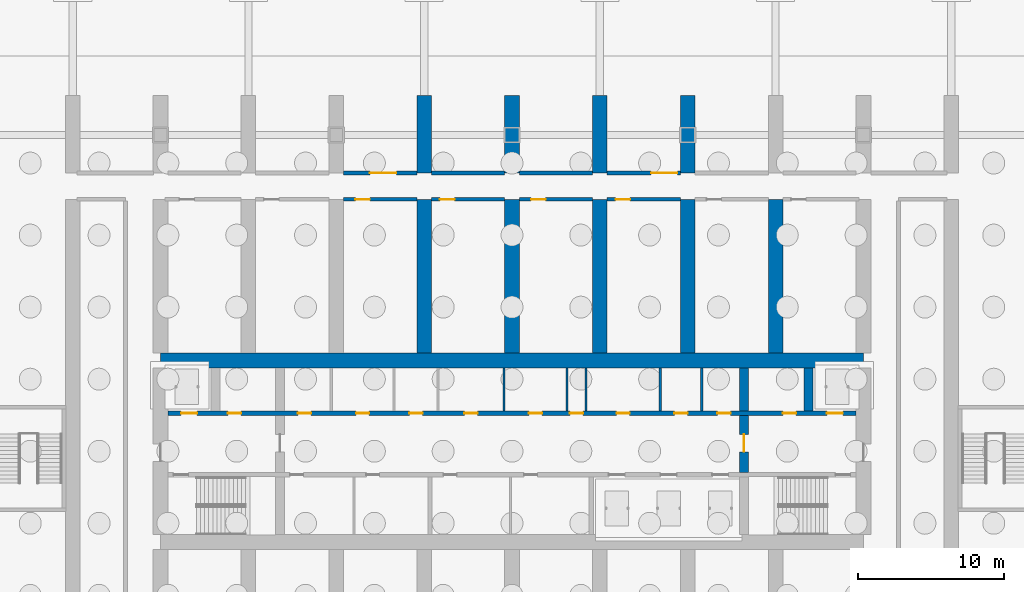
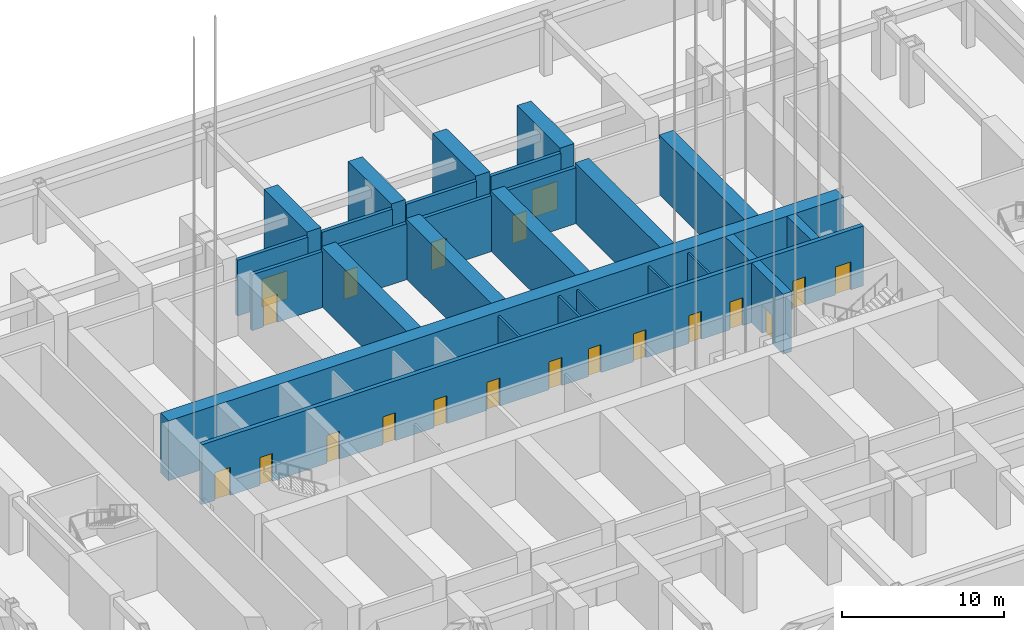
# One storey, part 6 of 28: 27 walls, 20 doors, 20 openings.
"""IFC4 building model written with IfcOpenShell, lengths in metres."""

import ifcopenshell
import ifcopenshell.guid

model = None  # the IFC model being written
_history = None  # IfcOwnerHistory: only IFC2X3 demands one
_inside = {}  # id of a spatial element -> (the spatial element, [elements in it])
_under = {}  # id of a project, library or spatial element -> (it, [spatial elements below it])
_declared = {}  # id of a project -> (the project, [libraries it declares])
_typed = {}  # id of a type object -> (the type object, [elements of that type])
_made_of = {}  # id of a material, layer set ... -> (it, [elements and type objects made of it])


def new_model(schema):
    """Start an empty IFC model of exactly this schema.

    Asked for "IFC4X3", IfcOpenShell would pick the latest addendum, in which some entities
    have other attributes; the version numbers below select the first issue.
    IFC2X3 requires an IfcOwnerHistory on every rooted entity: one is made here for all.
    """
    global model, _history
    if schema == "IFC4X3":
        model = ifcopenshell.file(schema_version=(4, 3, 0, 0))
    else:
        model = ifcopenshell.file(schema=schema)
    _inside.clear()
    _under.clear()
    _declared.clear()
    _typed.clear()
    _made_of.clear()
    _history = None
    if model.schema == "IFC2X3":
        org = make("IfcOrganization", Name="unknown")
        user = make(
            "IfcPersonAndOrganization",
            ThePerson=make("IfcPerson", FamilyName="unknown"),
            TheOrganization=org,
        )
        app = make(
            "IfcApplication",
            ApplicationDeveloper=org,
            Version="unknown",
            ApplicationFullName="unknown",
            ApplicationIdentifier="unknown",
        )
        _history = make(
            "IfcOwnerHistory",
            OwningUser=user,
            OwningApplication=app,
            ChangeAction="ADDED",
            CreationDate=0,
        )
    return model


def make(cls, **values):
    """One entity of the class cls with the attributes given. An attribute that is None is left unset."""
    return model.create_entity(
        cls, **{name: value for name, value in values.items() if value is not None}
    )


def rooted(cls, **values):
    """An entity with a GlobalId (a new one), such as an element, a storey or a relation."""
    return make(cls, GlobalId=ifcopenshell.guid.new(), OwnerHistory=_history, **values)


def si_unit(unit_type, name, prefix=None):
    """IfcSIUnit, for example si_unit("LENGTHUNIT", "METRE", prefix="MILLI")."""
    return make("IfcSIUnit", UnitType=unit_type, Prefix=prefix, Name=name)


def assignment(units):
    """IfcUnitAssignment: the units of a project."""
    return None if units is None else make("IfcUnitAssignment", Units=units)


def point(xyz):
    """IfcCartesianPoint."""
    return None if xyz is None else make("IfcCartesianPoint", Coordinates=xyz)


def direction(xyz):
    """IfcDirection."""
    return None if xyz is None else make("IfcDirection", DirectionRatios=xyz)


def frame(location, z_axis=None, x_axis=None):
    """IfcAxis2Placement3D, a coordinate frame: its origin and axes. An axis left out is left unset."""
    return make(
        "IfcAxis2Placement3D",
        Location=point(location),
        Axis=direction(z_axis),
        RefDirection=direction(x_axis),
    )


def frame_2d(location, x_axis=None):
    """IfcAxis2Placement2D, a coordinate frame in the plane: its origin and x axis."""
    return make(
        "IfcAxis2Placement2D", Location=point(location), RefDirection=direction(x_axis)
    )


def origin():
    """The frame at (0, 0, 0) with its axes left unset."""
    return frame((0.0, 0.0, 0.0))


def place(relative_to, where):
    """IfcLocalPlacement: puts the frame where relative to a parent placement (None: the world)."""
    return make(
        "IfcLocalPlacement", PlacementRelTo=relative_to, RelativePlacement=where
    )


def context(
    kind, dimensions, precision=None, world=None, true_north=None, identifier=None
):
    """IfcGeometricRepresentationContext, for example the 3D "Model" context."""
    return make(
        "IfcGeometricRepresentationContext",
        ContextIdentifier=identifier,
        ContextType=kind,
        CoordinateSpaceDimension=dimensions,
        Precision=precision,
        WorldCoordinateSystem=world,
        TrueNorth=true_north,
    )


def subcontext(parent, identifier, kind, view, scale=None):
    """IfcGeometricRepresentationSubContext, for example "Body" below "Model"."""
    return make(
        "IfcGeometricRepresentationSubContext",
        ContextIdentifier=identifier,
        ContextType=kind,
        ParentContext=parent,
        TargetScale=scale,
        TargetView=view,
    )


def project(units=None, contexts=None):
    """IfcProject with its units and contexts."""
    return rooted(
        "IfcProject",
        Name="project",
        RepresentationContexts=contexts,
        UnitsInContext=assignment(units),
    )


def spatial(cls, under=None, at=None, **own):
    """A site, building, storey or space (cls), placed at a placement, below another one or the project."""
    s = rooted(cls, ObjectPlacement=at, **own)
    if under is not None:
        _under.setdefault(under.id(), (under, []))[1].append(s)
    return s


def profile(cls, at=None, kind="AREA", **sizes):
    """A parametric profile (cls). Its sizes go by their IFC names, for example OverallWidth=200.0."""
    return make(cls, ProfileType=kind, Position=at, **sizes)


def rectangle(**sizes):
    """IfcRectangleProfileDef."""
    return profile("IfcRectangleProfileDef", **sizes)


def extrude(swept, where, along, depth):
    """IfcExtrudedAreaSolid: the profile swept, set in the frame where, extruded along a direction by depth."""
    return make(
        "IfcExtrudedAreaSolid",
        SweptArea=swept,
        Position=where,
        ExtrudedDirection=direction(along),
        Depth=depth,
    )


def shape(context_of_items, identifier, shape_type, items):
    """IfcShapeRepresentation: the items that make up one representation, for example the "Body"."""
    return make(
        "IfcShapeRepresentation",
        ContextOfItems=context_of_items,
        RepresentationIdentifier=identifier,
        RepresentationType=shape_type,
        Items=items,
    )


def material(Name=None, Category=None):
    """IfcMaterial."""
    return make("IfcMaterial", Name=Name, Category=Category)


def layer(
    of_material, thickness, ventilated=None, Name=None, Category=None, Priority=None
):
    """IfcMaterialLayer: one layer of a wall or slab, of a material (None: an air gap)."""
    return make(
        "IfcMaterialLayer",
        Material=of_material,
        LayerThickness=thickness,
        IsVentilated=ventilated,
        Name=Name,
        Category=Category,
        Priority=Priority,
    )


def layer_set(layers, Name=None):
    """IfcMaterialLayerSet."""
    return make("IfcMaterialLayerSet", MaterialLayers=layers, LayerSetName=Name)


def made_of(thing, what):
    """Note that an element or type object is made of a material, layer set ...; save() writes the relation."""
    if what is not None:
        _made_of.setdefault(what.id(), (what, []))[1].append(thing)
    return thing


def type_object(cls, material=None, **own):
    """A type object (cls), such as IfcWallType, which elements share."""
    return made_of(rooted(cls, **own), material)


def element(
    cls,
    number,
    at=None,
    inside=None,
    cuts=None,
    type_object=None,
    material=None,
    context=None,
    identifier="Body",
    shape_type=None,
    held_by="IfcProductDefinitionShape",
    body=None,
    shapes=None,
    **own,
):
    """One element of the class cls, such as IfcWall. Its Tag is "e" and its number.

    at: its placement. inside: the storey or other place that contains it. cuts: it is an
    opening in that element (IfcRelVoidsElement). A single representation is given by context,
    identifier, shape_type and body (its items); several are given by shapes. held_by: the class
    of the entity that holds the representations. save() writes the other relations.
    """
    e = rooted(cls, Tag="e%d" % number, ObjectPlacement=at, **own)
    if body is not None:
        shapes = [shape(context, identifier, shape_type, body)]
    if shapes is not None:
        e.Representation = make(held_by, Representations=shapes)
    if inside is not None:
        _inside.setdefault(inside.id(), (inside, []))[1].append(e)
    if cuts is not None:
        rooted(
            "IfcRelVoidsElement", RelatingBuildingElement=cuts, RelatedOpeningElement=e
        )
    if type_object is not None:
        _typed.setdefault(type_object.id(), (type_object, []))[1].append(e)
    return made_of(e, material)


def fill(opening, filler):
    """IfcRelFillsElement: the door or window that sits in an opening."""
    return rooted(
        "IfcRelFillsElement",
        RelatingOpeningElement=opening,
        RelatedBuildingElement=filler,
    )


def aggregate(whole, parts):
    """IfcRelAggregates: a whole, such as a stair, and the parts it consists of."""
    return rooted("IfcRelAggregates", RelatingObject=whole, RelatedObjects=parts)


def save(model, path):
    """Write the relations noted so far, then the file.

    IfcRelAggregates (storeys below a building ...), IfcRelContainedInSpatialStructure (elements
    in a storey), IfcRelDefinesByType, IfcRelAssociatesMaterial and IfcRelDeclares: one each for
    every whole, place, type object, material and project.
    """
    for whole, parts in _under.values():
        aggregate(whole, parts)
    for where, things in _inside.values():
        rooted(
            "IfcRelContainedInSpatialStructure",
            RelatedElements=things,
            RelatingStructure=where,
        )
    for kind, things in _typed.values():
        rooted("IfcRelDefinesByType", RelatedObjects=things, RelatingType=kind)
    for what, things in _made_of.values():
        rooted("IfcRelAssociatesMaterial", RelatedObjects=things, RelatingMaterial=what)
    for by, libraries in _declared.values():
        rooted("IfcRelDeclares", RelatingContext=by, RelatedDefinitions=libraries)
    model.write(path)


model = new_model("IFC4")

# Units and contexts
model_context = context("Model", 3, precision=1e-05, world=origin(), true_north=direction((0.0, 1.0)))
body_context = subcontext(model_context, "Body", "Model", "MODEL_VIEW")
ifc_project = project(units=[si_unit("LENGTHUNIT", "METRE"), si_unit("AREAUNIT", "SQUARE_METRE"), si_unit("VOLUMEUNIT", "CUBIC_METRE"), si_unit("PLANEANGLEUNIT", "RADIAN"), si_unit("MASSUNIT", "GRAM", prefix="KILO")], contexts=[model_context])

# Site, building, storey
site_placement = place(None, origin())
site = spatial("IfcSite", under=ifc_project, at=site_placement, CompositionType="ELEMENT")
building_placement = place(site_placement, origin())
building = spatial("IfcBuilding", under=site, at=building_placement, Name="Orbita Commons", CompositionType="ELEMENT")
storey_placement = place(building_placement, frame((0.0, 0.0, -9.0)))
storey = spatial("IfcBuildingStorey", under=building, at=storey_placement, Name="L-02", CompositionType="ELEMENT", Elevation=-9.0)

# Wall, opening, door
ifc_material_1 = material(Name="Concrete blockwork", Category="masonry")
ifc_layer_1 = layer(ifc_material_1, 0.25)
ifc_layer_set_1 = layer_set([ifc_layer_1], Name="Concrete blockwork")
wall_type_1 = type_object("IfcWallType", Name="Basement wall 250 blockwork", PredefinedType="SOLIDWALL", material=ifc_layer_set_1)
wall_1_placement = place(storey_placement, frame((30.5, 51.0, 0.0), z_axis=(0.0, 0.0, 1.0), x_axis=(1.0, 0.0, 0.0)))
wall_1 = element("IfcWall", 1, at=wall_1_placement, inside=storey, type_object=wall_type_1, Name="Basement wall 250 blockwork L-02", PredefinedType="SOLIDWALL", context=body_context, shape_type="SweptSolid", body=[
    extrude(rectangle(XDim=5.0, YDim=0.25, at=frame_2d((2.5, 0.0))), origin(), (0.0, 0.0, 1.0), 4.199951171875),
])
opening_1_placement = place(wall_1_placement, frame((1.800048828125, 0.0, 0.0)))
opening_1 = element("IfcOpeningElement", 2, at=opening_1_placement, cuts=wall_1, Name="Opening D07", PredefinedType="OPENING", context=body_context, shape_type="SweptSolid", body=[
    extrude(rectangle(XDim=1.800048828125, YDim=2.10009765625, at=frame_2d((0.89990234375, 1.050048828125))), frame((0.0, 0.135009765625, 0.0), z_axis=(0.0, -1.0, 0.0), x_axis=(1.0, 0.0, 0.0)), (0.0, 0.0, 1.0), 0.27001953125),
])
ifc_material_2 = material(Name="Steel-faced fire door leaf", Category="steel")
door_type_1 = type_object("IfcDoorType", Name="Double corridor door 20 min 1800x2100", OperationType="DOUBLE_DOOR_SINGLE_SWING", PredefinedType="DOOR", material=ifc_material_2)
door_1_placement = place(opening_1_placement, origin())
door_1 = element("IfcDoor", 3, at=door_1_placement, inside=storey, type_object=door_type_1, Name="Hall doors north", OperationType="DOUBLE_DOOR_SINGLE_SWING", OverallHeight=2.10009765625, OverallWidth=1.800048828125, PredefinedType="DOOR", context=body_context, shape_type="SweptSolid", body=[
    extrude(rectangle(XDim=1.800048828125, YDim=2.10009765625, at=frame_2d((0.89990234375, 1.050048828125))), frame((0.0, 0.02490234375, 0.0), z_axis=(0.0, -1.0, 0.0), x_axis=(1.0, 0.0, 0.0)), (0.0, 0.0, 1.0), 0.050048828125),
])
fill(opening_1, door_1)

# Walls
for number, where, z_axis, x_axis, name in (
    (4, (36.5, 51.0, 0.0), (0.0, 0.0, 1.0), (1.0, 0.0, 0.0), "Basement wall 250 blockwork L-02"),
    (5, (42.5, 51.0, 0.0), (0.0, 0.0, 1.0), (1.0, 0.0, 0.0), "Basement wall 250 blockwork L-02"),
):
    element("IfcWall", number, at=place(storey_placement, frame(where, z_axis=z_axis, x_axis=x_axis)), inside=storey, type_object=wall_type_1, Name=name, PredefinedType="SOLIDWALL", context=body_context, shape_type="SweptSolid", body=[
        extrude(rectangle(XDim=5.0, YDim=0.25, at=frame_2d((2.5, 0.0))), origin(), (0.0, 0.0, 1.0), 4.199951171875),
    ])

# Wall, opening, door
wall_2_placement = place(storey_placement, frame((48.5, 51.0, 0.0), z_axis=(0.0, 0.0, 1.0), x_axis=(1.0, 0.0, 0.0)))
wall_2 = element("IfcWall", 6, at=wall_2_placement, inside=storey, type_object=wall_type_1, Name="Basement wall 250 blockwork L-02", PredefinedType="SOLIDWALL", context=body_context, shape_type="SweptSolid", body=[
    extrude(rectangle(XDim=5.0, YDim=0.25, at=frame_2d((2.5, 0.0))), origin(), (0.0, 0.0, 1.0), 4.199951171875),
])
opening_2_placement = place(wall_2_placement, frame((3.0, 0.0, 0.0)))
opening_2 = element("IfcOpeningElement", 7, at=opening_2_placement, cuts=wall_2, Name="Opening D07", PredefinedType="OPENING", context=body_context, shape_type="SweptSolid", body=[
    extrude(rectangle(XDim=1.800048828125, YDim=2.10009765625, at=frame_2d((0.89990234375, 1.050048828125))), frame((0.0, 0.135009765625, 0.0), z_axis=(0.0, -1.0, 0.0), x_axis=(1.0, 0.0, 0.0)), (0.0, 0.0, 1.0), 0.27001953125),
])
door_2_placement = place(opening_2_placement, origin())
door_2 = element("IfcDoor", 8, at=door_2_placement, inside=storey, type_object=door_type_1, Name="Hall doors north", OperationType="DOUBLE_DOOR_SINGLE_SWING", OverallHeight=2.10009765625, OverallWidth=1.800048828125, PredefinedType="DOOR", context=body_context, shape_type="SweptSolid", body=[
    extrude(rectangle(XDim=1.800048828125, YDim=2.10009765625, at=frame_2d((0.89990234375, 1.050048828125))), frame((0.0, 0.02490234375, 0.0), z_axis=(0.0, -1.0, 0.0), x_axis=(1.0, 0.0, 0.0)), (0.0, 0.0, 1.0), 0.050048828125),
])
fill(opening_2, door_2)

wall_3_placement = place(storey_placement, frame((30.5, 49.199951171875, 0.0), z_axis=(0.0, 0.0, 1.0), x_axis=(1.0, 0.0, 0.0)))
wall_3 = element("IfcWall", 9, at=wall_3_placement, inside=storey, type_object=wall_type_1, Name="Basement wall 250 blockwork L-02", PredefinedType="SOLIDWALL", context=body_context, shape_type="SweptSolid", body=[
    extrude(rectangle(XDim=5.0, YDim=0.25, at=frame_2d((2.5, 0.0))), origin(), (0.0, 0.0, 1.0), 4.199951171875),
])
opening_3_placement = place(wall_3_placement, frame((0.800048828125, 0.0, 0.0)))
opening_3 = element("IfcOpeningElement", 10, at=opening_3_placement, cuts=wall_3, Name="Opening D06", PredefinedType="OPENING", context=body_context, shape_type="SweptSolid", body=[
    extrude(rectangle(XDim=1.0, YDim=2.10009765625, at=frame_2d((0.5, 1.050048828125))), frame((0.0, 0.135009765625, 0.0), z_axis=(0.0, -1.0, 0.0), x_axis=(1.0, 0.0, 0.0)), (0.0, 0.0, 1.0), 0.27001953125),
])
ifc_material_3 = material(Name="Steel-faced fire door leaf", Category="steel")
door_type_2 = type_object("IfcDoorType", Name="Corridor door 20 min 1000x2100", OperationType="SINGLE_SWING_LEFT", PredefinedType="DOOR", material=ifc_material_3)
door_3_placement = place(opening_3_placement, origin())
door_3 = element("IfcDoor", 11, at=door_3_placement, inside=storey, type_object=door_type_2, Name="Room door", OperationType="SINGLE_SWING_LEFT", OverallHeight=2.10009765625, OverallWidth=1.0, PredefinedType="DOOR", context=body_context, shape_type="SweptSolid", body=[
    extrude(rectangle(XDim=1.0, YDim=2.10009765625, at=frame_2d((0.5, 1.050048828125))), frame((0.0, 0.02490234375, 0.0), z_axis=(0.0, -1.0, 0.0), x_axis=(1.0, 0.0, 0.0)), (0.0, 0.0, 1.0), 0.050048828125),
])
fill(opening_3, door_3)

wall_4_placement = place(storey_placement, frame((36.5, 49.199951171875, 0.0), z_axis=(0.0, 0.0, 1.0), x_axis=(1.0, 0.0, 0.0)))
wall_4 = element("IfcWall", 12, at=wall_4_placement, inside=storey, type_object=wall_type_1, Name="Basement wall 250 blockwork L-02", PredefinedType="SOLIDWALL", context=body_context, shape_type="SweptSolid", body=[
    extrude(rectangle(XDim=5.0, YDim=0.25, at=frame_2d((2.5, 0.0))), origin(), (0.0, 0.0, 1.0), 4.199951171875),
])
opening_4_placement = place(wall_4_placement, frame((0.574951171875, 0.0, 0.0)))
opening_4 = element("IfcOpeningElement", 13, at=opening_4_placement, cuts=wall_4, Name="Opening D06", PredefinedType="OPENING", context=body_context, shape_type="SweptSolid", body=[
    extrude(rectangle(XDim=1.0, YDim=2.10009765625, at=frame_2d((0.5, 1.050048828125))), frame((0.0, 0.135009765625, 0.0), z_axis=(0.0, -1.0, 0.0), x_axis=(1.0, 0.0, 0.0)), (0.0, 0.0, 1.0), 0.27001953125),
])
door_4_placement = place(opening_4_placement, origin())
door_4 = element("IfcDoor", 14, at=door_4_placement, inside=storey, type_object=door_type_2, Name="Room door", OperationType="SINGLE_SWING_LEFT", OverallHeight=2.10009765625, OverallWidth=1.0, PredefinedType="DOOR", context=body_context, shape_type="SweptSolid", body=[
    extrude(rectangle(XDim=1.0, YDim=2.10009765625, at=frame_2d((0.5, 1.050048828125))), frame((0.0, 0.02490234375, 0.0), z_axis=(0.0, -1.0, 0.0), x_axis=(1.0, 0.0, 0.0)), (0.0, 0.0, 1.0), 0.050048828125),
])
fill(opening_4, door_4)

wall_5_placement = place(storey_placement, frame((42.5, 49.199951171875, 0.0), z_axis=(0.0, 0.0, 1.0), x_axis=(1.0, 0.0, 0.0)))
wall_5 = element("IfcWall", 15, at=wall_5_placement, inside=storey, type_object=wall_type_1, Name="Basement wall 250 blockwork L-02", PredefinedType="SOLIDWALL", context=body_context, shape_type="SweptSolid", body=[
    extrude(rectangle(XDim=5.0, YDim=0.25, at=frame_2d((2.5, 0.0))), origin(), (0.0, 0.0, 1.0), 4.199951171875),
])
opening_5_placement = place(wall_5_placement, frame((0.800048828125, 0.0, 0.0)))
opening_5 = element("IfcOpeningElement", 16, at=opening_5_placement, cuts=wall_5, Name="Opening D06", PredefinedType="OPENING", context=body_context, shape_type="SweptSolid", body=[
    extrude(rectangle(XDim=1.0, YDim=2.10009765625, at=frame_2d((0.5, 1.050048828125))), frame((0.0, 0.135009765625, 0.0), z_axis=(0.0, -1.0, 0.0), x_axis=(1.0, 0.0, 0.0)), (0.0, 0.0, 1.0), 0.27001953125),
])
door_5_placement = place(opening_5_placement, origin())
door_5 = element("IfcDoor", 17, at=door_5_placement, inside=storey, type_object=door_type_2, Name="Room door", OperationType="SINGLE_SWING_LEFT", OverallHeight=2.10009765625, OverallWidth=1.0, PredefinedType="DOOR", context=body_context, shape_type="SweptSolid", body=[
    extrude(rectangle(XDim=1.0, YDim=2.10009765625, at=frame_2d((0.5, 1.050048828125))), frame((0.0, 0.02490234375, 0.0), z_axis=(0.0, -1.0, 0.0), x_axis=(1.0, 0.0, 0.0)), (0.0, 0.0, 1.0), 0.050048828125),
])
fill(opening_5, door_5)

wall_6_placement = place(storey_placement, frame((48.5, 49.199951171875, 0.0), z_axis=(0.0, 0.0, 1.0), x_axis=(1.0, 0.0, 0.0)))
wall_6 = element("IfcWall", 18, at=wall_6_placement, inside=storey, type_object=wall_type_1, Name="Basement wall 250 blockwork L-02", PredefinedType="SOLIDWALL", context=body_context, shape_type="SweptSolid", body=[
    extrude(rectangle(XDim=5.0, YDim=0.25, at=frame_2d((2.5, 0.0))), origin(), (0.0, 0.0, 1.0), 4.199951171875),
])
opening_6_placement = place(wall_6_placement, frame((0.574951171875, 0.0, 0.0)))
opening_6 = element("IfcOpeningElement", 19, at=opening_6_placement, cuts=wall_6, Name="Opening D06", PredefinedType="OPENING", context=body_context, shape_type="SweptSolid", body=[
    extrude(rectangle(XDim=1.0, YDim=2.10009765625, at=frame_2d((0.5, 1.050048828125))), frame((0.0, 0.135009765625, 0.0), z_axis=(0.0, -1.0, 0.0), x_axis=(1.0, 0.0, 0.0)), (0.0, 0.0, 1.0), 0.27001953125),
])
door_6_placement = place(opening_6_placement, origin())
door_6 = element("IfcDoor", 20, at=door_6_placement, inside=storey, type_object=door_type_2, Name="Room door", OperationType="SINGLE_SWING_LEFT", OverallHeight=2.10009765625, OverallWidth=1.0, PredefinedType="DOOR", context=body_context, shape_type="SweptSolid", body=[
    extrude(rectangle(XDim=1.0, YDim=2.10009765625, at=frame_2d((0.5, 1.050048828125))), frame((0.0, 0.02490234375, 0.0), z_axis=(0.0, -1.0, 0.0), x_axis=(1.0, 0.0, 0.0)), (0.0, 0.0, 1.0), 0.050048828125),
])
fill(opening_6, door_6)

# Wall, openings, doors
ifc_material_4 = material(Name="Concrete C50/60", Category="concrete")
ifc_layer_2 = layer(ifc_material_4, 0.300048828125)
ifc_layer_set_2 = layer_set([ifc_layer_2], Name="Concrete C50/60")
wall_type_2 = type_object("IfcWallType", Name="Core inner wall 300 C50/60", PredefinedType="SHEAR", material=ifc_layer_set_2)
wall_7_placement = place(storey_placement, frame((18.5, 34.60009765625, 0.0), z_axis=(0.0, 0.0, 1.0), x_axis=(1.0, 0.0, 0.0)))
wall_7 = element("IfcWall", 21, at=wall_7_placement, inside=storey, type_object=wall_type_2, Name="Lobby wall north L-02", PredefinedType="SHEAR", context=body_context, shape_type="SweptSolid", body=[
    extrude(rectangle(XDim=47.0, YDim=0.300048828125, at=frame_2d((23.5, 0.0))), origin(), (0.0, 0.0, 1.0), 4.5),
])
opening_7_placement = place(wall_7_placement, frame((0.89990234375, 0.0, 0.0)))
opening_7 = element("IfcOpeningElement", 22, at=opening_7_placement, cuts=wall_7, Name="Opening LD01", PredefinedType="OPENING", context=body_context, shape_type="SweptSolid", body=[
    extrude(rectangle(XDim=1.10009765625, YDim=2.10009765625, at=frame_2d((0.550048828125, 1.050048828125))), frame((0.0, 0.159912109375, 0.0), z_axis=(0.0, -1.0, 0.0), x_axis=(1.0, 0.0, 0.0)), (0.0, 0.0, 1.0), 0.320068359375),
])
opening_8_placement = place(wall_7_placement, frame((45.0, 0.0, 0.0)))
opening_8 = element("IfcOpeningElement", 23, at=opening_8_placement, cuts=wall_7, Name="Opening LD01", PredefinedType="OPENING", context=body_context, shape_type="SweptSolid", body=[
    extrude(rectangle(XDim=1.10009765625, YDim=2.10009765625, at=frame_2d((0.550048828125, 1.050048828125))), frame((0.0, 0.159912109375, 0.0), z_axis=(0.0, -1.0, 0.0), x_axis=(1.0, 0.0, 0.0)), (0.0, 0.0, 1.0), 0.320068359375),
])
opening_9_placement = place(wall_7_placement, frame((4.10009765625, 0.0, 0.0)))
opening_9 = element("IfcOpeningElement", 24, at=opening_9_placement, cuts=wall_7, Name="Opening D03", PredefinedType="OPENING", context=body_context, shape_type="SweptSolid", body=[
    extrude(rectangle(XDim=0.89990234375, YDim=2.10009765625, at=frame_2d((0.449951171875, 1.050048828125))), frame((0.0, 0.159912109375, 0.0), z_axis=(0.0, -1.0, 0.0), x_axis=(1.0, 0.0, 0.0)), (0.0, 0.0, 1.0), 0.320068359375),
])
opening_10_placement = place(wall_7_placement, frame((42.0, 0.0, 0.0)))
opening_10 = element("IfcOpeningElement", 25, at=opening_10_placement, cuts=wall_7, Name="Opening D03", PredefinedType="OPENING", context=body_context, shape_type="SweptSolid", body=[
    extrude(rectangle(XDim=0.89990234375, YDim=2.10009765625, at=frame_2d((0.449951171875, 1.050048828125))), frame((0.0, 0.159912109375, 0.0), z_axis=(0.0, -1.0, 0.0), x_axis=(1.0, 0.0, 0.0)), (0.0, 0.0, 1.0), 0.320068359375),
])
opening_11_placement = place(wall_7_placement, frame((8.87548828125, 0.0, 0.0)))
opening_11 = element("IfcOpeningElement", 26, at=opening_11_placement, cuts=wall_7, Name="Opening D05", PredefinedType="OPENING", context=body_context, shape_type="SweptSolid", body=[
    extrude(rectangle(XDim=0.89990234375, YDim=2.10009765625, at=frame_2d((0.449951171875, 1.050048828125))), frame((0.0, 0.159912109375, 0.0), z_axis=(0.0, -1.0, 0.0), x_axis=(1.0, 0.0, 0.0)), (0.0, 0.0, 1.0), 0.320068359375),
])
opening_12_placement = place(wall_7_placement, frame((12.8486328125, 0.0, 0.0)))
opening_12 = element("IfcOpeningElement", 27, at=opening_12_placement, cuts=wall_7, Name="Opening D03", PredefinedType="OPENING", context=body_context, shape_type="SweptSolid", body=[
    extrude(rectangle(XDim=0.89990234375, YDim=2.10009765625, at=frame_2d((0.449951171875, 1.050048828125))), frame((0.0, 0.159912109375, 0.0), z_axis=(0.0, -1.0, 0.0), x_axis=(1.0, 0.0, 0.0)), (0.0, 0.0, 1.0), 0.320068359375),
])
opening_13_placement = place(wall_7_placement, frame((16.496337890625, 0.0, 0.0)))
opening_13 = element("IfcOpeningElement", 28, at=opening_13_placement, cuts=wall_7, Name="Opening D03", PredefinedType="OPENING", context=body_context, shape_type="SweptSolid", body=[
    extrude(rectangle(XDim=0.89990234375, YDim=2.10009765625, at=frame_2d((0.449951171875, 1.050048828125))), frame((0.0, 0.159912109375, 0.0), z_axis=(0.0, -1.0, 0.0), x_axis=(1.0, 0.0, 0.0)), (0.0, 0.0, 1.0), 0.320068359375),
])
opening_14_placement = place(wall_7_placement, frame((20.254638671875, 0.0, 0.0)))
opening_14 = element("IfcOpeningElement", 29, at=opening_14_placement, cuts=wall_7, Name="Opening D03", PredefinedType="OPENING", context=body_context, shape_type="SweptSolid", body=[
    extrude(rectangle(XDim=0.89990234375, YDim=2.10009765625, at=frame_2d((0.449951171875, 1.050048828125))), frame((0.0, 0.159912109375, 0.0), z_axis=(0.0, -1.0, 0.0), x_axis=(1.0, 0.0, 0.0)), (0.0, 0.0, 1.0), 0.320068359375),
])
opening_15_placement = place(wall_7_placement, frame((24.66064453125, 0.0, 0.0)))
opening_15 = element("IfcOpeningElement", 30, at=opening_15_placement, cuts=wall_7, Name="Opening D03", PredefinedType="OPENING", context=body_context, shape_type="SweptSolid", body=[
    extrude(rectangle(XDim=0.89990234375, YDim=2.10009765625, at=frame_2d((0.449951171875, 1.050048828125))), frame((0.0, 0.159912109375, 0.0), z_axis=(0.0, -1.0, 0.0), x_axis=(1.0, 0.0, 0.0)), (0.0, 0.0, 1.0), 0.320068359375),
])
opening_16_placement = place(wall_7_placement, frame((27.45849609375, 0.0, 0.0)))
opening_16 = element("IfcOpeningElement", 31, at=opening_16_placement, cuts=wall_7, Name="Opening D03", PredefinedType="OPENING", context=body_context, shape_type="SweptSolid", body=[
    extrude(rectangle(XDim=0.89990234375, YDim=2.10009765625, at=frame_2d((0.449951171875, 1.050048828125))), frame((0.0, 0.159912109375, 0.0), z_axis=(0.0, -1.0, 0.0), x_axis=(1.0, 0.0, 0.0)), (0.0, 0.0, 1.0), 0.320068359375),
])
opening_17_placement = place(wall_7_placement, frame((30.64111328125, 0.0, 0.0)))
opening_17 = element("IfcOpeningElement", 32, at=opening_17_placement, cuts=wall_7, Name="Opening D05", PredefinedType="OPENING", context=body_context, shape_type="SweptSolid", body=[
    extrude(rectangle(XDim=0.89990234375, YDim=2.10009765625, at=frame_2d((0.449951171875, 1.050048828125))), frame((0.0, 0.159912109375, 0.0), z_axis=(0.0, -1.0, 0.0), x_axis=(1.0, 0.0, 0.0)), (0.0, 0.0, 1.0), 0.320068359375),
])
opening_18_placement = place(wall_7_placement, frame((34.59228515625, 0.0, 0.0)))
opening_18 = element("IfcOpeningElement", 33, at=opening_18_placement, cuts=wall_7, Name="Opening D03", PredefinedType="OPENING", context=body_context, shape_type="SweptSolid", body=[
    extrude(rectangle(XDim=0.89990234375, YDim=2.10009765625, at=frame_2d((0.449951171875, 1.050048828125))), frame((0.0, 0.159912109375, 0.0), z_axis=(0.0, -1.0, 0.0), x_axis=(1.0, 0.0, 0.0)), (0.0, 0.0, 1.0), 0.320068359375),
])
opening_19_placement = place(wall_7_placement, frame((37.5302734375, 0.0, 0.0)))
opening_19 = element("IfcOpeningElement", 34, at=opening_19_placement, cuts=wall_7, Name="Opening D03", PredefinedType="OPENING", context=body_context, shape_type="SweptSolid", body=[
    extrude(rectangle(XDim=0.89990234375, YDim=2.10009765625, at=frame_2d((0.449951171875, 1.050048828125))), frame((0.0, 0.159912109375, 0.0), z_axis=(0.0, -1.0, 0.0), x_axis=(1.0, 0.0, 0.0)), (0.0, 0.0, 1.0), 0.320068359375),
])
ifc_material_5 = material(Name="Steel-faced fire door leaf", Category="steel")
door_type_3 = type_object("IfcDoorType", Name="Firefighting lift landing door 1100x2100", OperationType="DOUBLE_DOOR_SLIDING", PredefinedType="DOOR", material=ifc_material_5)
door_7_placement = place(opening_7_placement, origin())
door_7 = element("IfcDoor", 35, at=door_7_placement, inside=storey, type_object=door_type_3, Name="Firefighting lift FL1 landing door", OperationType="DOUBLE_DOOR_SLIDING", OverallHeight=2.10009765625, OverallWidth=1.10009765625, PredefinedType="DOOR", context=body_context, shape_type="SweptSolid", body=[
    extrude(rectangle(XDim=1.10009765625, YDim=2.10009765625, at=frame_2d((0.550048828125, 1.050048828125))), frame((0.0, 0.02490234375, 0.0), z_axis=(0.0, -1.0, 0.0), x_axis=(1.0, 0.0, 0.0)), (0.0, 0.0, 1.0), 0.050048828125),
])
fill(opening_7, door_7)
door_8_placement = place(opening_8_placement, origin())
door_8 = element("IfcDoor", 36, at=door_8_placement, inside=storey, type_object=door_type_3, Name="Firefighting lift FL2 landing door", OperationType="DOUBLE_DOOR_SLIDING", OverallHeight=2.10009765625, OverallWidth=1.10009765625, PredefinedType="DOOR", context=body_context, shape_type="SweptSolid", body=[
    extrude(rectangle(XDim=1.10009765625, YDim=2.10009765625, at=frame_2d((0.550048828125, 1.050048828125))), frame((0.0, 0.02490234375, 0.0), z_axis=(0.0, -1.0, 0.0), x_axis=(1.0, 0.0, 0.0)), (0.0, 0.0, 1.0), 0.050048828125),
])
fill(opening_8, door_8)
ifc_material_6 = material(Name="Steel-faced fire door leaf", Category="steel")
door_type_4 = type_object("IfcDoorType", Name="Service door 20 min 900x2100", OperationType="SINGLE_SWING_LEFT", PredefinedType="DOOR", material=ifc_material_6)
door_9_placement = place(opening_11_placement, origin())
door_9 = element("IfcDoor", 37, at=door_9_placement, inside=storey, type_object=door_type_4, Name="Accessible WC door", OperationType="SINGLE_SWING_LEFT", OverallHeight=2.10009765625, OverallWidth=0.89990234375, PredefinedType="DOOR", context=body_context, shape_type="SweptSolid", body=[
    extrude(rectangle(XDim=0.89990234375, YDim=2.10009765625, at=frame_2d((0.449951171875, 1.050048828125))), frame((0.0, 0.02490234375, 0.0), z_axis=(0.0, -1.0, 0.0), x_axis=(1.0, 0.0, 0.0)), (0.0, 0.0, 1.0), 0.050048828125),
])
fill(opening_11, door_9)
door_10_placement = place(opening_17_placement, origin())
door_10 = element("IfcDoor", 38, at=door_10_placement, inside=storey, type_object=door_type_4, Name="Guest pantry door", OperationType="SINGLE_SWING_LEFT", OverallHeight=2.10009765625, OverallWidth=0.89990234375, PredefinedType="DOOR", context=body_context, shape_type="SweptSolid", body=[
    extrude(rectangle(XDim=0.89990234375, YDim=2.10009765625, at=frame_2d((0.449951171875, 1.050048828125))), frame((0.0, 0.02490234375, 0.0), z_axis=(0.0, -1.0, 0.0), x_axis=(1.0, 0.0, 0.0)), (0.0, 0.0, 1.0), 0.050048828125),
])
fill(opening_17, door_10)
ifc_material_7 = material(Name="Steel-faced fire door leaf", Category="steel")
door_type_5 = type_object("IfcDoorType", Name="Shaft access door 90 min 900x2100", OperationType="SINGLE_SWING_LEFT", PredefinedType="DOOR", material=ifc_material_7)
door_11_placement = place(opening_9_placement, origin())
door_11 = element("IfcDoor", 39, at=door_11_placement, inside=storey, type_object=door_type_5, Name="Riser door west", OperationType="SINGLE_SWING_LEFT", OverallHeight=2.10009765625, OverallWidth=0.89990234375, PredefinedType="DOOR", context=body_context, shape_type="SweptSolid", body=[
    extrude(rectangle(XDim=0.89990234375, YDim=2.10009765625, at=frame_2d((0.449951171875, 1.050048828125))), frame((0.0, 0.02490234375, 0.0), z_axis=(0.0, -1.0, 0.0), x_axis=(1.0, 0.0, 0.0)), (0.0, 0.0, 1.0), 0.050048828125),
])
fill(opening_9, door_11)
door_12_placement = place(opening_10_placement, origin())
door_12 = element("IfcDoor", 40, at=door_12_placement, inside=storey, type_object=door_type_5, Name="Riser door east", OperationType="SINGLE_SWING_LEFT", OverallHeight=2.10009765625, OverallWidth=0.89990234375, PredefinedType="DOOR", context=body_context, shape_type="SweptSolid", body=[
    extrude(rectangle(XDim=0.89990234375, YDim=2.10009765625, at=frame_2d((0.449951171875, 1.050048828125))), frame((0.0, 0.02490234375, 0.0), z_axis=(0.0, -1.0, 0.0), x_axis=(1.0, 0.0, 0.0)), (0.0, 0.0, 1.0), 0.050048828125),
])
fill(opening_10, door_12)
door_13_placement = place(opening_12_placement, origin())
door_13 = element("IfcDoor", 41, at=door_13_placement, inside=storey, type_object=door_type_5, Name="Refuse chute room door", OperationType="SINGLE_SWING_LEFT", OverallHeight=2.10009765625, OverallWidth=0.89990234375, PredefinedType="DOOR", context=body_context, shape_type="SweptSolid", body=[
    extrude(rectangle(XDim=0.89990234375, YDim=2.10009765625, at=frame_2d((0.449951171875, 1.050048828125))), frame((0.0, 0.02490234375, 0.0), z_axis=(0.0, -1.0, 0.0), x_axis=(1.0, 0.0, 0.0)), (0.0, 0.0, 1.0), 0.050048828125),
])
fill(opening_12, door_13)
door_14_placement = place(opening_13_placement, origin())
door_14 = element("IfcDoor", 42, at=door_14_placement, inside=storey, type_object=door_type_5, Name="Electrical riser room door", OperationType="SINGLE_SWING_LEFT", OverallHeight=2.10009765625, OverallWidth=0.89990234375, PredefinedType="DOOR", context=body_context, shape_type="SweptSolid", body=[
    extrude(rectangle(XDim=0.89990234375, YDim=2.10009765625, at=frame_2d((0.449951171875, 1.050048828125))), frame((0.0, 0.02490234375, 0.0), z_axis=(0.0, -1.0, 0.0), x_axis=(1.0, 0.0, 0.0)), (0.0, 0.0, 1.0), 0.050048828125),
])
fill(opening_13, door_14)
door_15_placement = place(opening_14_placement, origin())
door_15 = element("IfcDoor", 43, at=door_15_placement, inside=storey, type_object=door_type_5, Name="IT room door", OperationType="SINGLE_SWING_LEFT", OverallHeight=2.10009765625, OverallWidth=0.89990234375, PredefinedType="DOOR", context=body_context, shape_type="SweptSolid", body=[
    extrude(rectangle(XDim=0.89990234375, YDim=2.10009765625, at=frame_2d((0.449951171875, 1.050048828125))), frame((0.0, 0.02490234375, 0.0), z_axis=(0.0, -1.0, 0.0), x_axis=(1.0, 0.0, 0.0)), (0.0, 0.0, 1.0), 0.050048828125),
])
fill(opening_14, door_15)
door_16_placement = place(opening_15_placement, origin())
door_16 = element("IfcDoor", 44, at=door_16_placement, inside=storey, type_object=door_type_5, Name="Communications room door", OperationType="SINGLE_SWING_LEFT", OverallHeight=2.10009765625, OverallWidth=0.89990234375, PredefinedType="DOOR", context=body_context, shape_type="SweptSolid", body=[
    extrude(rectangle(XDim=0.89990234375, YDim=2.10009765625, at=frame_2d((0.449951171875, 1.050048828125))), frame((0.0, 0.02490234375, 0.0), z_axis=(0.0, -1.0, 0.0), x_axis=(1.0, 0.0, 0.0)), (0.0, 0.0, 1.0), 0.050048828125),
])
fill(opening_15, door_16)
door_17_placement = place(opening_16_placement, origin())
door_17 = element("IfcDoor", 45, at=door_17_placement, inside=storey, type_object=door_type_5, Name="Stair pressurisation duct door", OperationType="SINGLE_SWING_LEFT", OverallHeight=2.10009765625, OverallWidth=0.89990234375, PredefinedType="DOOR", context=body_context, shape_type="SweptSolid", body=[
    extrude(rectangle(XDim=0.89990234375, YDim=2.10009765625, at=frame_2d((0.449951171875, 1.050048828125))), frame((0.0, 0.02490234375, 0.0), z_axis=(0.0, -1.0, 0.0), x_axis=(1.0, 0.0, 0.0)), (0.0, 0.0, 1.0), 0.050048828125),
])
fill(opening_16, door_17)
door_18_placement = place(opening_18_placement, origin())
door_18 = element("IfcDoor", 46, at=door_18_placement, inside=storey, type_object=door_type_5, Name="Linen store door", OperationType="SINGLE_SWING_LEFT", OverallHeight=2.10009765625, OverallWidth=0.89990234375, PredefinedType="DOOR", context=body_context, shape_type="SweptSolid", body=[
    extrude(rectangle(XDim=0.89990234375, YDim=2.10009765625, at=frame_2d((0.449951171875, 1.050048828125))), frame((0.0, 0.02490234375, 0.0), z_axis=(0.0, -1.0, 0.0), x_axis=(1.0, 0.0, 0.0)), (0.0, 0.0, 1.0), 0.050048828125),
])
fill(opening_18, door_18)
door_19_placement = place(opening_19_placement, origin())
door_19 = element("IfcDoor", 47, at=door_19_placement, inside=storey, type_object=door_type_5, Name="Cleaners store door", OperationType="SINGLE_SWING_LEFT", OverallHeight=2.10009765625, OverallWidth=0.89990234375, PredefinedType="DOOR", context=body_context, shape_type="SweptSolid", body=[
    extrude(rectangle(XDim=0.89990234375, YDim=2.10009765625, at=frame_2d((0.449951171875, 1.050048828125))), frame((0.0, 0.02490234375, 0.0), z_axis=(0.0, -1.0, 0.0), x_axis=(1.0, 0.0, 0.0)), (0.0, 0.0, 1.0), 0.050048828125),
])
fill(opening_19, door_19)

# Wall, opening, door
ifc_material_8 = material(Name="Concrete C50/60", Category="concrete")
ifc_layer_3 = layer(ifc_material_8, 0.60009765625)
ifc_layer_set_3 = layer_set([ifc_layer_3], Name="Concrete C50/60")
wall_type_3 = type_object("IfcWallType", Name="Core inner wall 600 C50/60", PredefinedType="SHEAR", material=ifc_layer_set_3)
wall_8_placement = place(storey_placement, frame((57.85009765625, 30.550048828125, 0.0), z_axis=(0.0, 0.0, 1.0), x_axis=(0.0, 1.0, 0.0)))
wall_8 = element("IfcWall", 48, at=wall_8_placement, inside=storey, type_object=wall_type_3, Name="Firefighting lobby wall east L-02", PredefinedType="SHEAR", context=body_context, shape_type="SweptSolid", body=[
    extrude(rectangle(XDim=3.89990234375, YDim=0.60009765625, at=frame_2d((1.949951171875, 0.0))), origin(), (0.0, 0.0, 1.0), 4.5),
])
opening_20_placement = place(wall_8_placement, frame((1.39990234375, 0.0, 0.0)))
opening_20 = element("IfcOpeningElement", 49, at=opening_20_placement, cuts=wall_8, Name="Opening D04", PredefinedType="OPENING", context=body_context, shape_type="SweptSolid", body=[
    extrude(rectangle(XDim=1.199951171875, YDim=2.10009765625, at=frame_2d((0.60009765625, 1.050048828125))), frame((0.0, 0.31005859375, 0.0), z_axis=(0.0, -1.0, 0.0), x_axis=(1.0, 0.0, 0.0)), (0.0, 0.0, 1.0), 0.6201171875),
])
ifc_material_9 = material(Name="Steel-faced fire door leaf", Category="steel")
door_type_6 = type_object("IfcDoorType", Name="Service door 20 min 1200x2100", OperationType="SINGLE_SWING_LEFT", PredefinedType="DOOR", material=ifc_material_9)
door_20_placement = place(opening_20_placement, origin())
door_20 = element("IfcDoor", 50, at=door_20_placement, inside=storey, type_object=door_type_6, Name="Lift lobby door east", OperationType="SINGLE_SWING_LEFT", OverallHeight=2.10009765625, OverallWidth=1.199951171875, PredefinedType="DOOR", context=body_context, shape_type="SweptSolid", body=[
    extrude(rectangle(XDim=1.199951171875, YDim=2.10009765625, at=frame_2d((0.60009765625, 1.050048828125))), frame((0.0, 0.02490234375, 0.0), z_axis=(0.0, -1.0, 0.0), x_axis=(1.0, 0.0, 0.0)), (0.0, 0.0, 1.0), 0.050048828125),
])
fill(opening_20, door_20)

# Walls
for number, where, z_axis, x_axis, name in (
    (51, (62.25, 34.75, 0.0), (0.0, 0.0, 1.0), (0.0, 1.0, 0.0), "Firefighting lift FL2 shaft wall L-02"),
    (52, (57.85009765625, 34.75, 0.0), (0.0, 0.0, 1.0), (0.0, 1.0, 0.0), "Riser wall east L-02"),
):
    element("IfcWall", number, at=place(storey_placement, frame(where, z_axis=z_axis, x_axis=x_axis)), inside=storey, type_object=wall_type_3, Name=name, PredefinedType="SHEAR", context=body_context, shape_type="SweptSolid", body=[
        extrude(rectangle(XDim=2.949951171875, YDim=0.60009765625, at=frame_2d((1.47509765625, 0.0))), origin(), (0.0, 0.0, 1.0), 4.5),
    ])
ifc_material_10 = material(Name="Concrete blockwork", Category="masonry")
ifc_layer_4 = layer(ifc_material_10, 0.14990234375)
ifc_layer_set_4 = layer_set([ifc_layer_4], Name="Concrete blockwork")
wall_type_4 = type_object("IfcWallType", Name="Core partition 150 blockwork", PredefinedType="SOLIDWALL", material=ifc_layer_set_4)
for number, where, z_axis, x_axis, name in (
    (53, (41.463134765625, 34.75, 0.0), (0.0, 0.0, 1.0), (0.0, 1.0, 0.0), "Core partition 150 blockwork L-02"),
    (54, (45.75830078125, 34.75, 0.0), (0.0, 0.0, 1.0), (0.0, 1.0, 0.0), "Core partition 150 blockwork L-02"),
    (55, (47.058349609375, 34.75, 0.0), (0.0, 0.0, 1.0), (0.0, 1.0, 0.0), "Core partition 150 blockwork L-02"),
    (56, (52.123779296875, 34.75, 0.0), (0.0, 0.0, 1.0), (0.0, 1.0, 0.0), "Core partition 150 blockwork L-02"),
    (57, (54.960693359375, 34.75, 0.0), (0.0, 0.0, 1.0), (0.0, 1.0, 0.0), "Core partition 150 blockwork L-02"),
):
    element("IfcWall", number, at=place(storey_placement, frame(where, z_axis=z_axis, x_axis=x_axis)), inside=storey, type_object=wall_type_4, Name=name, PredefinedType="SOLIDWALL", context=body_context, shape_type="SweptSolid", body=[
        extrude(rectangle(XDim=2.949951171875, YDim=0.14990234375, at=frame_2d((1.47509765625, 0.0))), origin(), (0.0, 0.0, 1.0), 4.199951171875),
    ])
ifc_material_11 = material(Name="Concrete C50/60", Category="concrete")
ifc_layer_5 = layer(ifc_material_11, 1.0)
ifc_layer_set_5 = layer_set([ifc_layer_5], Name="Concrete C50/60")
wall_type_5 = type_object("IfcWallType", Name="Core wall 1000 C50/60", PredefinedType="SHEAR", material=ifc_layer_set_5)
wall_9_placement = place(storey_placement, frame((18.0, 38.199951171875, 0.0), z_axis=(0.0, 0.0, 1.0), x_axis=(1.0, 0.0, 0.0)))
element("IfcWall", 58, at=wall_9_placement, inside=storey, type_object=wall_type_5, Name="Core spine wall north L-02", PredefinedType="SHEAR", context=body_context, shape_type="SweptSolid", body=[
    extrude(rectangle(XDim=48.0, YDim=1.0, at=frame_2d((24.0, 0.0))), origin(), (0.0, 0.0, 1.0), 4.5),
])
ifc_material_12 = material(Name="Concrete C50/60", Category="concrete")
ifc_layer_6 = layer(ifc_material_12, 1.0)
ifc_layer_set_6 = layer_set([ifc_layer_6], Name="Concrete C50/60")
wall_type_6 = type_object("IfcWallType", Name="Cross wall 1000 C50/60", PredefinedType="SHEAR", material=ifc_layer_set_6)
wall_10_placement = place(storey_placement, frame((36.0, 51.0, 0.0), z_axis=(0.0, 0.0, 1.0), x_axis=(0.0, 1.0, 0.0)))
element("IfcWall", 59, at=wall_10_placement, inside=storey, type_object=wall_type_6, Name="Cross wall 7 north outer L-02", PredefinedType="SHEAR", context=body_context, shape_type="SweptSolid", body=[
    extrude(rectangle(XDim=5.300048828125, YDim=1.0, at=frame_2d((2.64990234375, 0.0))), origin(), (0.0, 0.0, 1.0), 4.5),
])
wall_11_placement = place(storey_placement, frame((36.0, 38.699951171875, 0.0), z_axis=(0.0, 0.0, 1.0), x_axis=(0.0, 1.0, 0.0)))
element("IfcWall", 60, at=wall_11_placement, inside=storey, type_object=wall_type_6, Name="Cross wall 7 north inner L-02", PredefinedType="SHEAR", context=body_context, shape_type="SweptSolid", body=[
    extrude(rectangle(XDim=10.5, YDim=1.0, at=frame_2d((5.25, 0.0))), origin(), (0.0, 0.0, 1.0), 4.5),
])
wall_12_placement = place(storey_placement, frame((42.0, 51.0, 0.0), z_axis=(0.0, 0.0, 1.0), x_axis=(0.0, 1.0, 0.0)))
element("IfcWall", 61, at=wall_12_placement, inside=storey, type_object=wall_type_6, Name="Cross wall 8 north outer L-02", PredefinedType="SHEAR", context=body_context, shape_type="SweptSolid", body=[
    extrude(rectangle(XDim=5.300048828125, YDim=1.0, at=frame_2d((2.64990234375, 0.0))), origin(), (0.0, 0.0, 1.0), 4.5),
])
wall_13_placement = place(storey_placement, frame((42.0, 38.699951171875, 0.0), z_axis=(0.0, 0.0, 1.0), x_axis=(0.0, 1.0, 0.0)))
element("IfcWall", 62, at=wall_13_placement, inside=storey, type_object=wall_type_6, Name="Cross wall 8 north inner L-02", PredefinedType="SHEAR", context=body_context, shape_type="SweptSolid", body=[
    extrude(rectangle(XDim=10.5, YDim=1.0, at=frame_2d((5.25, 0.0))), origin(), (0.0, 0.0, 1.0), 4.5),
])
wall_14_placement = place(storey_placement, frame((48.0, 51.0, 0.0), z_axis=(0.0, 0.0, 1.0), x_axis=(0.0, 1.0, 0.0)))
element("IfcWall", 63, at=wall_14_placement, inside=storey, type_object=wall_type_6, Name="Cross wall 9 north outer L-02", PredefinedType="SHEAR", context=body_context, shape_type="SweptSolid", body=[
    extrude(rectangle(XDim=5.300048828125, YDim=1.0, at=frame_2d((2.64990234375, 0.0))), origin(), (0.0, 0.0, 1.0), 4.5),
])
wall_15_placement = place(storey_placement, frame((48.0, 38.699951171875, 0.0), z_axis=(0.0, 0.0, 1.0), x_axis=(0.0, 1.0, 0.0)))
element("IfcWall", 64, at=wall_15_placement, inside=storey, type_object=wall_type_6, Name="Cross wall 9 north inner L-02", PredefinedType="SHEAR", context=body_context, shape_type="SweptSolid", body=[
    extrude(rectangle(XDim=10.5, YDim=1.0, at=frame_2d((5.25, 0.0))), origin(), (0.0, 0.0, 1.0), 4.5),
])
wall_16_placement = place(storey_placement, frame((54.0, 51.0, 0.0), z_axis=(0.0, 0.0, 1.0), x_axis=(0.0, 1.0, 0.0)))
element("IfcWall", 65, at=wall_16_placement, inside=storey, type_object=wall_type_6, Name="Cross wall 10 north outer L-02", PredefinedType="SHEAR", context=body_context, shape_type="SweptSolid", body=[
    extrude(rectangle(XDim=5.300048828125, YDim=1.0, at=frame_2d((2.64990234375, 0.0))), origin(), (0.0, 0.0, 1.0), 4.5),
])
for number, where, z_axis, x_axis, name in (
    (66, (54.0, 38.699951171875, 0.0), (0.0, 0.0, 1.0), (0.0, 1.0, 0.0), "Cross wall 10 north inner L-02"),
    (67, (60.0, 38.699951171875, 0.0), (0.0, 0.0, 1.0), (0.0, 1.0, 0.0), "Cross wall 11 north inner L-02"),
):
    element("IfcWall", number, at=place(storey_placement, frame(where, z_axis=z_axis, x_axis=x_axis)), inside=storey, type_object=wall_type_6, Name=name, PredefinedType="SHEAR", context=body_context, shape_type="SweptSolid", body=[
        extrude(rectangle(XDim=10.5, YDim=1.0, at=frame_2d((5.25, 0.0))), origin(), (0.0, 0.0, 1.0), 4.5),
    ])

save(model, "model.ifc")
